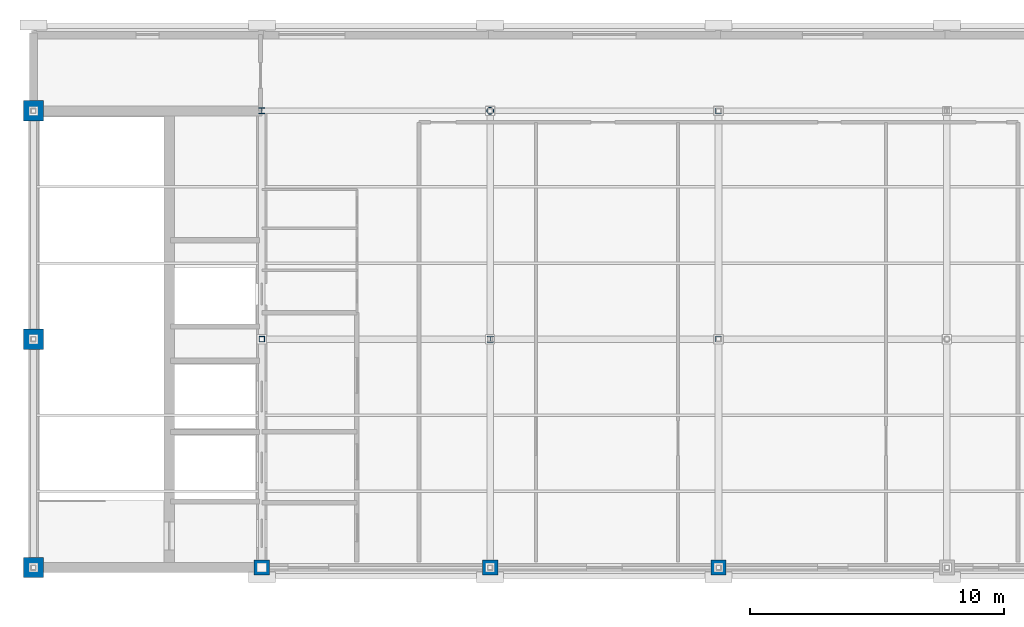
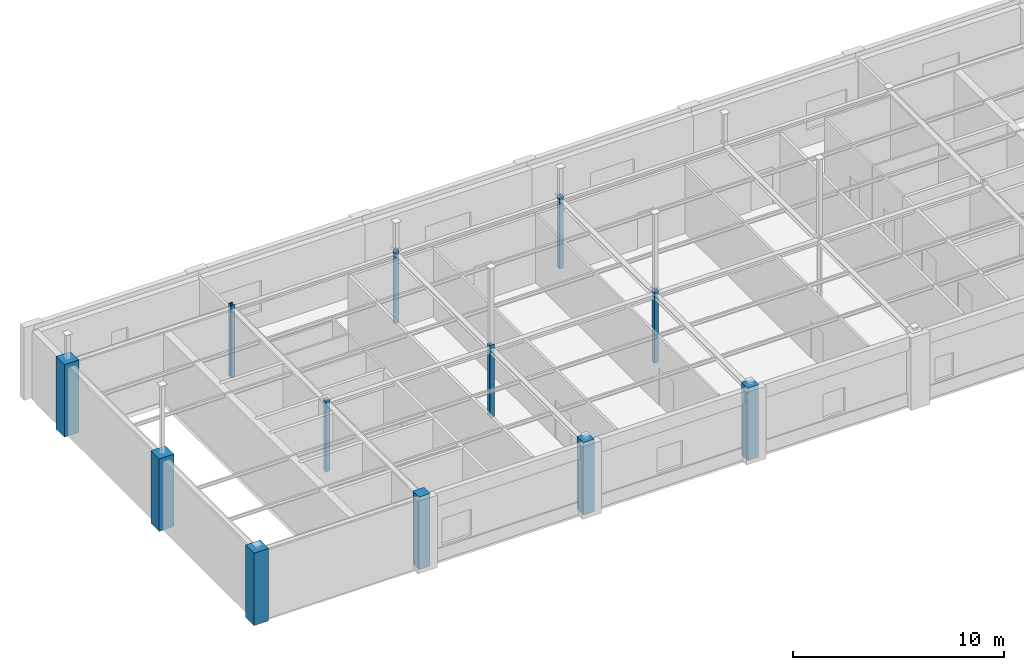
# One storey, part 1 of 13: 12 columns.
"""IFC4 building model written with IfcOpenShell, lengths in metres."""

from ifc_helpers import new_model, si_unit, direction, frame, origin, origin_2d, place, context, subcontext, project, spatial, rectangle, hollow_rectangle, hollow_circle, i_section, extrude, material, material_profile, profile_set, type_object, element, save


model = new_model("IFC4")

# Units and contexts
model_context = context("Model", 3, precision=1e-05, world=origin(), true_north=direction((0.0, 1.0)))
body_context = subcontext(model_context, "Body", "Model", "MODEL_VIEW")
ifc_project = project(units=[si_unit("LENGTHUNIT", "METRE"), si_unit("AREAUNIT", "SQUARE_METRE"), si_unit("VOLUMEUNIT", "CUBIC_METRE"), si_unit("PLANEANGLEUNIT", "RADIAN"), si_unit("MASSUNIT", "GRAM", prefix="KILO")], contexts=[model_context])

# Site, building, storey
site_placement = place(None, origin())
site = spatial("IfcSite", under=ifc_project, at=site_placement, CompositionType="ELEMENT")
building_placement = place(site_placement, origin())
building = spatial("IfcBuilding", under=site, at=building_placement, Name="Lykobir Media Centre", CompositionType="ELEMENT")
storey_placement = place(building_placement, frame((0.0, 0.0, 36.0)))
storey = spatial("IfcBuildingStorey", under=building, at=storey_placement, Name="L08", CompositionType="ELEMENT", Elevation=36.0)

# Columns
ifc_material_1 = material(Name="Concrete C40/50", Category="concrete")
ifc_material_profile_1 = material_profile(ifc_material_1, rectangle(XDim=0.60009765625, YDim=0.60009765625, at=origin_2d()), Name="RC 600x600")
ifc_profile_set_1 = profile_set([ifc_material_profile_1], Name="Concrete C40/50")
column_type_1 = type_object("IfcColumnType", Name="RC-C600-E", PredefinedType="COLUMN", material=ifc_profile_set_1)
for number, where, z_axis, x_axis, name in (
    (1, (36.0, 0.0, 0.0), (0.0, 0.0, 1.0), (1.0, 0.0, 0.0), "Column COL-L08-0360-0000"),
    (2, (45.0, 0.0, 0.0), (0.0, 0.0, 1.0), (1.0, 0.0, 0.0), "Column COL-L08-0450-0000"),
    (3, (54.0, 0.0, 0.0), (0.0, 0.0, 1.0), (1.0, 0.0, 0.0), "Column COL-L08-0540-0000"),
):
    element("IfcColumn", number, at=place(storey_placement, frame(where, z_axis=z_axis, x_axis=x_axis)), inside=storey, type_object=column_type_1, Name=name, PredefinedType="COLUMN", context=body_context, shape_type="SweptSolid", body=[
        extrude(rectangle(XDim=0.60009765625, YDim=0.60009765625, at=origin_2d()), origin(), (0.0, 0.0, 1.0), 4.199951171875),
    ])
ifc_material_profile_2 = material_profile(ifc_material_1, rectangle(XDim=0.800048828125, YDim=0.800048828125, at=origin_2d()), Name="RC 800x800")
ifc_profile_set_2 = profile_set([ifc_material_profile_2], Name="Concrete C40/50")
column_type_2 = type_object("IfcColumnType", Name="RC-C800", PredefinedType="COLUMN", material=ifc_profile_set_2)
for number, where, z_axis, x_axis, name in (
    (4, (27.0, 9.0, 0.0), (0.0, 0.0, 1.0), (1.0, 0.0, 0.0), "Column COL-L08-0270-0090"),
    (5, (27.0, 18.0, 0.0), (0.0, 0.0, 1.0), (1.0, 0.0, 0.0), "Column COL-L08-0270-0180"),
):
    element("IfcColumn", number, at=place(storey_placement, frame(where, z_axis=z_axis, x_axis=x_axis)), inside=storey, type_object=column_type_2, Name=name, PredefinedType="COLUMN", context=body_context, shape_type="SweptSolid", body=[
        extrude(rectangle(XDim=0.800048828125, YDim=0.800048828125, at=origin_2d()), origin(), (0.0, 0.0, 1.0), 4.199951171875),
    ])
ifc_material_profile_3 = material_profile(ifc_material_1, rectangle(XDim=0.800048828125, YDim=0.800048828125, at=origin_2d()), Name="RC 800x800")
ifc_profile_set_3 = profile_set([ifc_material_profile_3], Name="Concrete C40/50")
column_type_3 = type_object("IfcColumnType", Name="RC-C800-E", PredefinedType="COLUMN", material=ifc_profile_set_3)
column_1_placement = place(storey_placement, frame((27.0, 0.0, 0.0), z_axis=(0.0, 0.0, 1.0), x_axis=(1.0, 0.0, 0.0)))
element("IfcColumn", 6, at=column_1_placement, inside=storey, type_object=column_type_3, Name="Column COL-L08-0270-0000", PredefinedType="COLUMN", context=body_context, shape_type="SweptSolid", body=[
    extrude(rectangle(XDim=0.800048828125, YDim=0.800048828125, at=origin_2d()), origin(), (0.0, 0.0, 1.0), 4.199951171875),
])
ifc_material_2 = material(Name="Steel S355", Category="steel")
ifc_material_profile_4 = material_profile(ifc_material_2, hollow_circle(Radius=0.136474609375, WallThickness=0.012451171875, at=origin_2d()), Name="CHS 273.0x12.5")
ifc_profile_set_4 = profile_set([ifc_material_profile_4], Name="Steel S355")
column_type_4 = type_object("IfcColumnType", Name="SC-CHS273", PredefinedType="COLUMN", material=ifc_profile_set_4)
column_2_placement = place(storey_placement, frame((45.0, 18.0, 0.0), z_axis=(0.0, 0.0, 1.0), x_axis=(1.0, 0.0, 0.0)))
element("IfcColumn", 7, at=column_2_placement, inside=storey, type_object=column_type_4, Name="Column COL-L08-0450-0180", PredefinedType="COLUMN", context=body_context, shape_type="SweptSolid", body=[
    extrude(hollow_circle(Radius=0.136474609375, WallThickness=0.012451171875, at=origin_2d()), origin(), (0.0, 0.0, 1.0), 4.199951171875),
])
ifc_material_profile_5 = material_profile(ifc_material_2, i_section(OverallWidth=0.239990234375, OverallDepth=0.239990234375, WebThickness=0.010009765625, FlangeThickness=0.01708984375, at=origin_2d()), Name="HEB 240")
ifc_profile_set_5 = profile_set([ifc_material_profile_5], Name="Steel S355")
column_type_5 = type_object("IfcColumnType", Name="SC-HEB240", PredefinedType="COLUMN", material=ifc_profile_set_5)
for number, where, z_axis, x_axis, name in (
    (8, (36.0, 18.0, 0.0), (0.0, 0.0, 1.0), (1.0, 0.0, 0.0), "Column COL-L08-0360-0180"),
    (9, (45.0, 9.0, 0.0), (0.0, 0.0, 1.0), (1.0, 0.0, 0.0), "Column COL-L08-0450-0090"),
):
    element("IfcColumn", number, at=place(storey_placement, frame(where, z_axis=z_axis, x_axis=x_axis)), inside=storey, type_object=column_type_5, Name=name, PredefinedType="COLUMN", context=body_context, shape_type="SweptSolid", body=[
        extrude(i_section(OverallWidth=0.239990234375, OverallDepth=0.239990234375, WebThickness=0.010009765625, FlangeThickness=0.01708984375, at=origin_2d()), origin(), (0.0, 0.0, 1.0), 4.199951171875),
    ])
ifc_material_profile_6 = material_profile(ifc_material_2, hollow_rectangle(XDim=0.219970703125, YDim=0.219970703125, WallThickness=0.012451171875, at=origin_2d()), Name="SHS 220x220x12.5")
ifc_profile_set_6 = profile_set([ifc_material_profile_6], Name="Steel S355")
column_type_6 = type_object("IfcColumnType", Name="SC-SHS220", PredefinedType="COLUMN", material=ifc_profile_set_6)
for number, where, z_axis, x_axis, name in (
    (10, (36.0, 9.0, 0.0), (0.0, 0.0, 1.0), (1.0, 0.0, 0.0), "Column COL-L08-0360-0090"),
    (11, (54.0, 9.0, 0.0), (0.0, 0.0, 1.0), (1.0, 0.0, 0.0), "Column COL-L08-0540-0090"),
    (12, (54.0, 18.0, 0.0), (0.0, 0.0, 1.0), (1.0, 0.0, 0.0), "Column COL-L08-0540-0180"),
):
    element("IfcColumn", number, at=place(storey_placement, frame(where, z_axis=z_axis, x_axis=x_axis)), inside=storey, type_object=column_type_6, Name=name, PredefinedType="COLUMN", context=body_context, shape_type="SweptSolid", body=[
        extrude(hollow_rectangle(XDim=0.219970703125, YDim=0.219970703125, WallThickness=0.012451171875, at=origin_2d()), origin(), (0.0, 0.0, 1.0), 4.199951171875),
    ])

save(model, "model.ifc")
